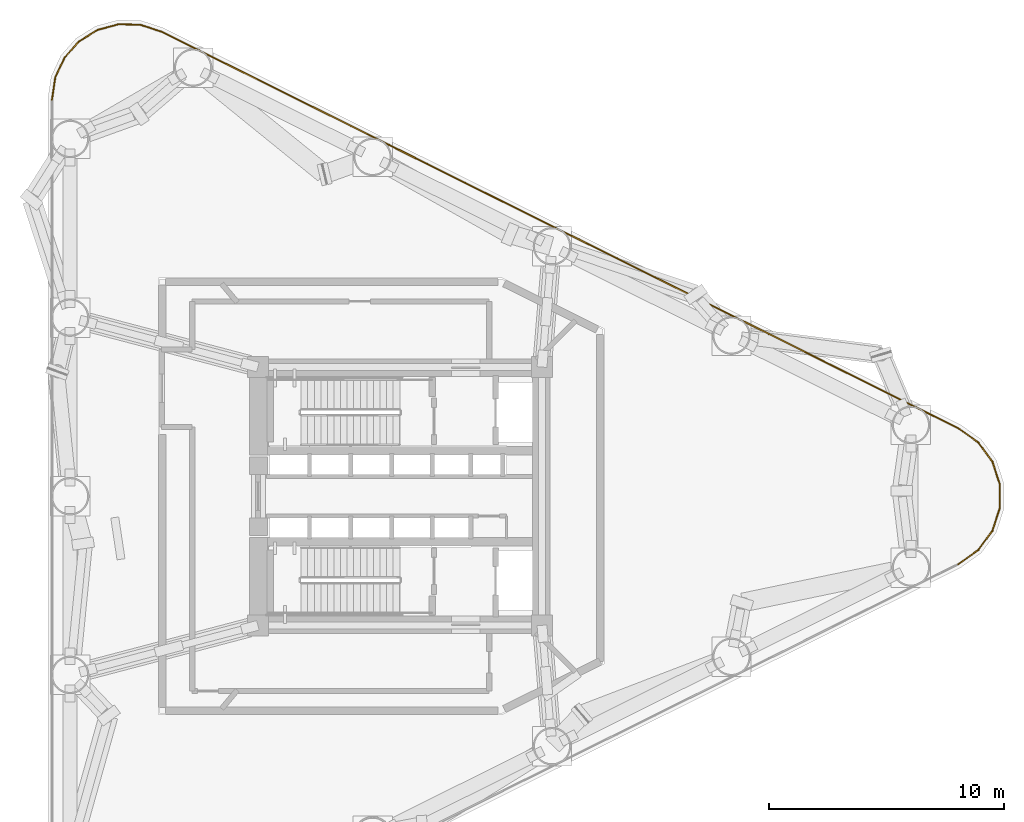
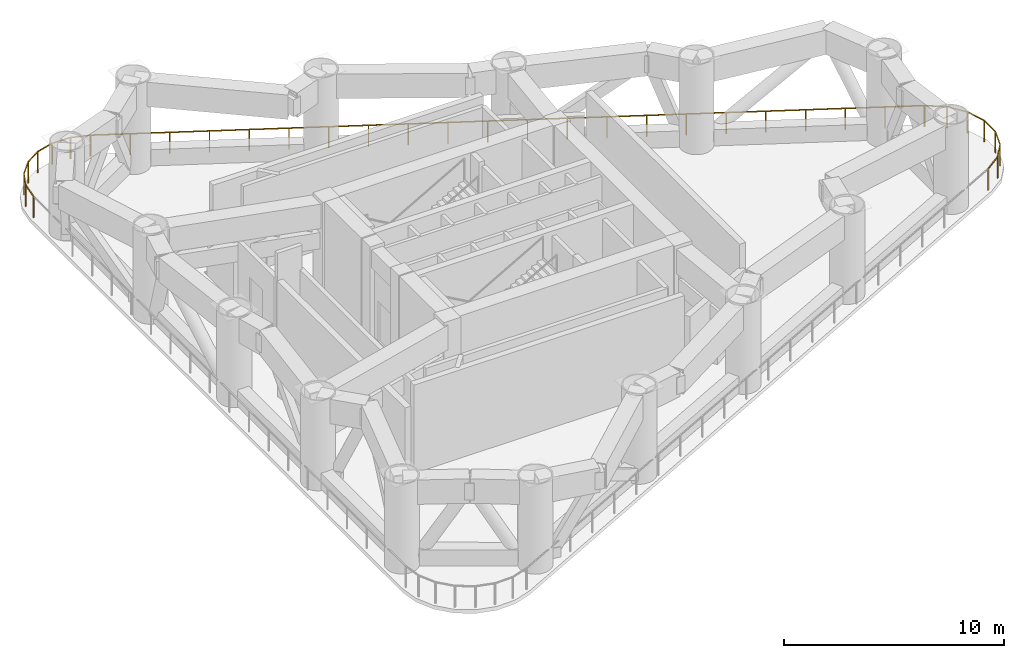
# One storey, part 8 of 8: 15 railings.
"""IFC4 building model written with IfcOpenShell, lengths in metres."""

from ifc_helpers import new_model, si_unit, direction, frame, origin, origin_2d, place, context, subcontext, project, spatial, rectangle, extrude, material, type_object, element, save


model = new_model("IFC4")

# Units and contexts
model_context = context("Model", 3, precision=1e-05, world=origin(), true_north=direction((0.0, 1.0)))
body_context = subcontext(model_context, "Body", "Model", "MODEL_VIEW")
ifc_project = project(units=[si_unit("LENGTHUNIT", "METRE"), si_unit("AREAUNIT", "SQUARE_METRE"), si_unit("VOLUMEUNIT", "CUBIC_METRE"), si_unit("PLANEANGLEUNIT", "RADIAN"), si_unit("MASSUNIT", "GRAM", prefix="KILO")], contexts=[model_context])

# Site, building, storey
site_placement = place(None, origin())
site = spatial("IfcSite", under=ifc_project, at=site_placement, CompositionType="ELEMENT")
building_placement = place(site_placement, origin())
building = spatial("IfcBuilding", under=site, at=building_placement, Name="Yunling Apex Tower", CompositionType="ELEMENT")
storey_placement = place(building_placement, frame((0.0, 0.0, 49.699951171875)))
storey = spatial("IfcBuildingStorey", under=building, at=storey_placement, Name="RF1", CompositionType="ELEMENT", Elevation=49.699951171875)

# Railings
ifc_material = material(Name="Bronze anodised aluminium", Category="aluminium")
railing_type = type_object("IfcRailingType", Name="RL-BAL-1200", PredefinedType="BALUSTRADE", material=ifc_material)
railing_1_placement = place(storey_placement, frame((-14.82421875, 16.882080078125, 0.0)))
element("IfcRailing", 1, at=railing_1_placement, inside=storey, type_object=railing_type, Name="RL-REF-RF1-02", PredefinedType="BALUSTRADE", context=body_context, shape_type="SweptSolid", body=[
    extrude(rectangle(XDim=0.0439453125, YDim=0.0439453125, at=origin_2d()), origin(), (0.0, 0.0, 1.0), 1.199951171875),
    extrude(rectangle(XDim=0.0439453125, YDim=0.0439453125, at=origin_2d()), frame((0.14111328125, 0.964111328125, 0.0)), (0.0, 0.0, 1.0), 1.199951171875),
    extrude(rectangle(XDim=0.050048828125, YDim=0.050048828125, at=origin_2d()), frame((0.005615234375, 0.037841796875, 1.1748046875), z_axis=(0.144823112328, 0.989457561564, 0.0), x_axis=(-0.989457561564, 0.144823112328, 0.0)), (0.0, 0.0, 1.0), 0.897705078125),
])
railing_2_placement = place(storey_placement, frame((-14.691650390625, 17.817626953125, 0.0)))
element("IfcRailing", 2, at=railing_2_placement, inside=storey, type_object=railing_type, Name="RL-REF-RF1-03", PredefinedType="BALUSTRADE", context=body_context, shape_type="SweptSolid", body=[
    extrude(rectangle(XDim=0.0439453125, YDim=0.0439453125, at=origin_2d()), origin(), (0.0, 0.0, 1.0), 1.199951171875),
    extrude(rectangle(XDim=0.0439453125, YDim=0.0439453125, at=origin_2d()), frame((0.405517578125, 0.87158203125, 0.0)), (0.0, 0.0, 1.0), 1.199951171875),
    extrude(rectangle(XDim=0.050048828125, YDim=0.050048828125, at=origin_2d()), frame((0.01611328125, 0.03466796875, 1.1748046875), z_axis=(0.421842429617, 0.906669159382, 0.0), x_axis=(-0.906669159382, 0.421842429617, 0.0)), (0.0, 0.0, 1.0), 0.884521484375),
])
railing_3_placement = place(storey_placement, frame((-14.302490234375, 18.664306640625, 0.0)))
element("IfcRailing", 3, at=railing_3_placement, inside=storey, type_object=railing_type, Name="RL-REF-RF1-04", PredefinedType="BALUSTRADE", context=body_context, shape_type="SweptSolid", body=[
    extrude(rectangle(XDim=0.0439453125, YDim=0.0439453125, at=origin_2d()), origin(), (0.0, 0.0, 1.0), 1.199951171875),
    extrude(rectangle(XDim=0.0439453125, YDim=0.0439453125, at=origin_2d()), frame((0.63818359375, 0.71875, 0.0)), (0.0, 0.0, 1.0), 1.199951171875),
    extrude(rectangle(XDim=0.050048828125, YDim=0.050048828125, at=origin_2d()), frame((0.025390625, 0.028564453125, 1.1748046875), z_axis=(0.663953836805, 0.747773563716, 0.0), x_axis=(-0.747773563716, 0.663953836805, 0.0)), (0.0, 0.0, 1.0), 0.884521484375),
])
railing_4_placement = place(storey_placement, frame((-13.68701171875, 19.364013671875, 0.0)))
element("IfcRailing", 4, at=railing_4_placement, inside=storey, type_object=railing_type, Name="RL-REF-RF1-05", PredefinedType="BALUSTRADE", context=body_context, shape_type="SweptSolid", body=[
    extrude(rectangle(XDim=0.0439453125, YDim=0.0439453125, at=origin_2d()), origin(), (0.0, 0.0, 1.0), 1.199951171875),
    extrude(rectangle(XDim=0.0439453125, YDim=0.0439453125, at=origin_2d()), frame((0.81689453125, 0.506103515625, 0.0)), (0.0, 0.0, 1.0), 1.199951171875),
    extrude(rectangle(XDim=0.050048828125, YDim=0.050048828125, at=origin_2d()), frame((0.032470703125, 0.020263671875, 1.1748046875), z_axis=(0.850075589856, 0.526660698677, 0.0), x_axis=(-0.526660698677, 0.850075589856, 0.0)), (0.0, 0.0, 1.0), 0.88427734375),
])
railing_5_placement = place(storey_placement, frame((-12.897216796875, 19.8583984375, 0.0)))
element("IfcRailing", 5, at=railing_5_placement, inside=storey, type_object=railing_type, Name="RL-REF-RF1-06", PredefinedType="BALUSTRADE", context=body_context, shape_type="SweptSolid", body=[
    extrude(rectangle(XDim=0.0439453125, YDim=0.0439453125, at=origin_2d()), origin(), (0.0, 0.0, 1.0), 1.199951171875),
    extrude(rectangle(XDim=0.0439453125, YDim=0.0439453125, at=origin_2d()), frame((0.927978515625, 0.250732421875, 0.0)), (0.0, 0.0, 1.0), 1.199951171875),
    extrude(rectangle(XDim=0.050048828125, YDim=0.050048828125, at=origin_2d()), frame((0.037109375, 0.010009765625, 1.1748046875), z_axis=(0.965382408795, 0.260838656625, 0.0), x_axis=(-0.260838656625, 0.965382408795, 0.0)), (0.0, 0.0, 1.0), 0.884521484375),
])
railing_6_placement = place(storey_placement, frame((-11.998779296875, 20.105712890625, 0.0)))
element("IfcRailing", 6, at=railing_6_placement, inside=storey, type_object=railing_type, Name="RL-REF-RF1-07", PredefinedType="BALUSTRADE", context=body_context, shape_type="SweptSolid", body=[
    extrude(rectangle(XDim=0.0439453125, YDim=0.0439453125, at=origin_2d()), origin(), (0.0, 0.0, 1.0), 1.199951171875),
    extrude(rectangle(XDim=0.0439453125, YDim=0.0439453125, at=origin_2d()), frame((0.9609375, -0.025146484375, 0.0)), (0.0, 0.0, 1.0), 1.199951171875),
    extrude(rectangle(XDim=0.050048828125, YDim=0.050048828125, at=origin_2d()), frame((0.038330078125, -0.0009765625, 1.1748046875), z_axis=(0.999657775348, -0.026159743613, 0.0), x_axis=(0.026159743613, 0.999657775348, 0.0)), (0.0, 0.0, 1.0), 0.884521484375),
])
railing_7_placement = place(storey_placement, frame((-11.067138671875, 20.08544921875, 0.0)))
element("IfcRailing", 7, at=railing_7_placement, inside=storey, type_object=railing_type, Name="RL-REF-RF1-08", PredefinedType="BALUSTRADE", context=body_context, shape_type="SweptSolid", body=[
    extrude(rectangle(XDim=0.0439453125, YDim=0.0439453125, at=origin_2d()), origin(), (0.0, 0.0, 1.0), 1.199951171875),
    extrude(rectangle(XDim=0.0439453125, YDim=0.0439453125, at=origin_2d()), frame((0.926025390625, -0.30322265625, 0.0)), (0.0, 0.0, 1.0), 1.199951171875),
    extrude(rectangle(XDim=0.050048828125, YDim=0.050048828125, at=origin_2d()), frame((0.036376953125, -0.011962890625, 1.1748046875), z_axis=(0.950348637795, -0.31118718907, 0.0), x_axis=(0.31118718907, 0.950348637795, 0.0)), (0.0, 0.0, 1.0), 0.897705078125),
])
railing_8_placement = place(storey_placement, frame((-10.1689453125, 19.79345703125, 0.0)))
element("IfcRailing", 8, at=railing_8_placement, inside=storey, type_object=railing_type, Name="RL-REF-RF1-09", PredefinedType="BALUSTRADE", context=body_context, shape_type="SweptSolid", body=[
    extrude(rectangle(XDim=0.0439453125, YDim=0.0439453125, at=origin_2d()), origin(), (0.0, 0.0, 1.0), 1.199951171875),
    extrude(rectangle(XDim=0.0439453125, YDim=0.0439453125, at=origin_2d()), frame((33.9775390625, -16.9111328125, 0.0)), (0.0, 0.0, 1.0), 1.199951171875),
    extrude(rectangle(XDim=0.050048828125, YDim=0.050048828125, at=origin_2d()), frame((0.034423828125, -0.01708984375, 1.1748046875), z_axis=(0.895243926255, -0.445576382346, 0.0), x_axis=(0.445576382346, 0.895243926255, 0.0)), (0.0, 0.0, 1.0), 37.876708984375),
    extrude(rectangle(XDim=0.0439453125, YDim=0.0439453125, at=origin_2d()), frame((1.617919921875, -0.80517578125, 0.0)), (0.0, 0.0, 1.0), 1.14599609375),
    extrude(rectangle(XDim=0.0439453125, YDim=0.0439453125, at=origin_2d()), frame((3.23583984375, -1.610595703125, 0.0)), (0.0, 0.0, 1.0), 1.14599609375),
    extrude(rectangle(XDim=0.0439453125, YDim=0.0439453125, at=origin_2d()), frame((4.85400390625, -2.415771484375, 0.0)), (0.0, 0.0, 1.0), 1.14599609375),
    extrude(rectangle(XDim=0.0439453125, YDim=0.0439453125, at=origin_2d()), frame((6.471923828125, -3.22119140625, 0.0)), (0.0, 0.0, 1.0), 1.14599609375),
    extrude(rectangle(XDim=0.0439453125, YDim=0.0439453125, at=origin_2d()), frame((8.08984375, -4.0263671875, 0.0)), (0.0, 0.0, 1.0), 1.14599609375),
    extrude(rectangle(XDim=0.0439453125, YDim=0.0439453125, at=origin_2d()), frame((9.707763671875, -4.831787109375, 0.0)), (0.0, 0.0, 1.0), 1.14599609375),
    extrude(rectangle(XDim=0.0439453125, YDim=0.0439453125, at=origin_2d()), frame((11.325927734375, -5.636962890625, 0.0)), (0.0, 0.0, 1.0), 1.14599609375),
    extrude(rectangle(XDim=0.0439453125, YDim=0.0439453125, at=origin_2d()), frame((12.94384765625, -6.4423828125, 0.0)), (0.0, 0.0, 1.0), 1.14599609375),
    extrude(rectangle(XDim=0.0439453125, YDim=0.0439453125, at=origin_2d()), frame((14.561767578125, -7.24755859375, 0.0)), (0.0, 0.0, 1.0), 1.14599609375),
    extrude(rectangle(XDim=0.0439453125, YDim=0.0439453125, at=origin_2d()), frame((16.1796875, -8.052978515625, 0.0)), (0.0, 0.0, 1.0), 1.14599609375),
    extrude(rectangle(XDim=0.0439453125, YDim=0.0439453125, at=origin_2d()), frame((17.7978515625, -8.858154296875, 0.0)), (0.0, 0.0, 1.0), 1.14599609375),
    extrude(rectangle(XDim=0.0439453125, YDim=0.0439453125, at=origin_2d()), frame((19.415771484375, -9.66357421875, 0.0)), (0.0, 0.0, 1.0), 1.14599609375),
    extrude(rectangle(XDim=0.0439453125, YDim=0.0439453125, at=origin_2d()), frame((21.03369140625, -10.46875, 0.0)), (0.0, 0.0, 1.0), 1.14599609375),
    extrude(rectangle(XDim=0.0439453125, YDim=0.0439453125, at=origin_2d()), frame((22.651611328125, -11.274169921875, 0.0)), (0.0, 0.0, 1.0), 1.14599609375),
    extrude(rectangle(XDim=0.0439453125, YDim=0.0439453125, at=origin_2d()), frame((24.269775390625, -12.079345703125, 0.0)), (0.0, 0.0, 1.0), 1.14599609375),
    extrude(rectangle(XDim=0.0439453125, YDim=0.0439453125, at=origin_2d()), frame((25.8876953125, -12.884765625, 0.0)), (0.0, 0.0, 1.0), 1.14599609375),
    extrude(rectangle(XDim=0.0439453125, YDim=0.0439453125, at=origin_2d()), frame((27.505615234375, -13.68994140625, 0.0)), (0.0, 0.0, 1.0), 1.14599609375),
    extrude(rectangle(XDim=0.0439453125, YDim=0.0439453125, at=origin_2d()), frame((29.12353515625, -14.495361328125, 0.0)), (0.0, 0.0, 1.0), 1.14599609375),
    extrude(rectangle(XDim=0.0439453125, YDim=0.0439453125, at=origin_2d()), frame((30.74169921875, -15.300537109375, 0.0)), (0.0, 0.0, 1.0), 1.14599609375),
    extrude(rectangle(XDim=0.0439453125, YDim=0.0439453125, at=origin_2d()), frame((32.359619140625, -16.10595703125, 0.0)), (0.0, 0.0, 1.0), 1.14599609375),
])
railing_9_placement = place(storey_placement, frame((23.783203125, 2.897705078125, 0.0)))
element("IfcRailing", 9, at=railing_9_placement, inside=storey, type_object=railing_type, Name="RL-REF-RF1-10", PredefinedType="BALUSTRADE", context=body_context, shape_type="SweptSolid", body=[
    extrude(rectangle(XDim=0.0439453125, YDim=0.0439453125, at=origin_2d()), origin(), (0.0, 0.0, 1.0), 1.199951171875),
    extrude(rectangle(XDim=0.0439453125, YDim=0.0439453125, at=origin_2d()), frame((0.8623046875, -0.615966796875, 0.0)), (0.0, 0.0, 1.0), 1.199951171875),
    extrude(rectangle(XDim=0.050048828125, YDim=0.050048828125, at=origin_2d()), frame((0.03125, -0.022216796875, 1.1748046875), z_axis=(0.813717904397, -0.581259986635, 0.0), x_axis=(0.581259986635, 0.813717904397, 0.0)), (0.0, 0.0, 1.0), 0.983154296875),
])
railing_10_placement = place(storey_placement, frame((24.62451171875, 2.302490234375, 0.0)))
element("IfcRailing", 10, at=railing_10_placement, inside=storey, type_object=railing_type, Name="RL-REF-RF1-11", PredefinedType="BALUSTRADE", context=body_context, shape_type="SweptSolid", body=[
    extrude(rectangle(XDim=0.0439453125, YDim=0.0439453125, at=origin_2d()), origin(), (0.0, 0.0, 1.0), 1.199951171875),
    extrude(rectangle(XDim=0.0439453125, YDim=0.0439453125, at=origin_2d()), frame((0.618896484375, -0.84228515625, 0.0)), (0.0, 0.0, 1.0), 1.199951171875),
    extrude(rectangle(XDim=0.050048828125, YDim=0.050048828125, at=origin_2d()), frame((0.022705078125, -0.031005859375, 1.1748046875), z_axis=(0.592122870791, -0.805847693976, 0.0), x_axis=(0.805847693976, 0.592122870791, 0.0)), (0.0, 0.0, 1.0), 0.968505859375),
])
railing_11_placement = place(storey_placement, frame((25.229736328125, 1.486572265625, 0.0)))
element("IfcRailing", 11, at=railing_11_placement, inside=storey, type_object=railing_type, Name="RL-REF-RF1-12", PredefinedType="BALUSTRADE", context=body_context, shape_type="SweptSolid", body=[
    extrude(rectangle(XDim=0.0439453125, YDim=0.0439453125, at=origin_2d()), origin(), (0.0, 0.0, 1.0), 1.199951171875),
    extrude(rectangle(XDim=0.0439453125, YDim=0.0439453125, at=origin_2d()), frame((0.32568359375, -0.9931640625, 0.0)), (0.0, 0.0, 1.0), 1.199951171875),
    extrude(rectangle(XDim=0.050048828125, YDim=0.050048828125, at=origin_2d()), frame((0.011962890625, -0.036376953125, 1.1748046875), z_axis=(0.311599074365, -0.950213669053, 0.0), x_axis=(0.950213669053, 0.311599074365, 0.0)), (0.0, 0.0, 1.0), 0.968505859375),
])
railing_12_placement = place(storey_placement, frame((25.55078125, 0.522705078125, 0.0)))
element("IfcRailing", 12, at=railing_12_placement, inside=storey, type_object=railing_type, Name="RL-REF-RF1-13", PredefinedType="BALUSTRADE", context=body_context, shape_type="SweptSolid", body=[
    extrude(rectangle(XDim=0.0439453125, YDim=0.0439453125, at=origin_2d()), origin(), (0.0, 0.0, 1.0), 1.199951171875),
    extrude(rectangle(XDim=0.0439453125, YDim=0.0439453125, at=origin_2d()), frame((0.0, -1.04541015625, 0.0)), (0.0, 0.0, 1.0), 1.199951171875),
    extrude(rectangle(XDim=0.050048828125, YDim=0.050048828125, at=origin_2d()), frame((0.0, -0.038330078125, 1.1748046875), z_axis=(0.0, -1.0, 0.0), x_axis=(1.0, 0.0, 0.0)), (0.0, 0.0, 1.0), 0.96875),
])
railing_13_placement = place(storey_placement, frame((25.555419921875, -0.493408203125, 0.0)))
element("IfcRailing", 13, at=railing_13_placement, inside=storey, type_object=railing_type, Name="RL-REF-RF1-14", PredefinedType="BALUSTRADE", context=body_context, shape_type="SweptSolid", body=[
    extrude(rectangle(XDim=0.0439453125, YDim=0.0439453125, at=origin_2d()), origin(), (0.0, 0.0, 1.0), 1.199951171875),
    extrude(rectangle(XDim=0.0439453125, YDim=0.0439453125, at=origin_2d()), frame((-0.32568359375, -0.9931640625, 0.0)), (0.0, 0.0, 1.0), 1.199951171875),
    extrude(rectangle(XDim=0.050048828125, YDim=0.050048828125, at=origin_2d()), frame((-0.011962890625, -0.036376953125, 1.1748046875), z_axis=(-0.311599074365, -0.950213669053, 0.0), x_axis=(0.950213669053, -0.311599074365, 0.0)), (0.0, 0.0, 1.0), 0.968505859375),
])
railing_14_placement = place(storey_placement, frame((25.243408203125, -1.460205078125, 0.0)))
element("IfcRailing", 14, at=railing_14_placement, inside=storey, type_object=railing_type, Name="RL-REF-RF1-15", PredefinedType="BALUSTRADE", context=body_context, shape_type="SweptSolid", body=[
    extrude(rectangle(XDim=0.0439453125, YDim=0.0439453125, at=origin_2d()), origin(), (0.0, 0.0, 1.0), 1.199951171875),
    extrude(rectangle(XDim=0.0439453125, YDim=0.0439453125, at=origin_2d()), frame((-0.618896484375, -0.84228515625, 0.0)), (0.0, 0.0, 1.0), 1.199951171875),
    extrude(rectangle(XDim=0.050048828125, YDim=0.050048828125, at=origin_2d()), frame((-0.022705078125, -0.031005859375, 1.1748046875), z_axis=(-0.592122870791, -0.805847693976, 0.0), x_axis=(0.805847693976, -0.592122870791, 0.0)), (0.0, 0.0, 1.0), 0.968505859375),
])
railing_15_placement = place(storey_placement, frame((24.6455078125, -2.28173828125, 0.0)))
element("IfcRailing", 15, at=railing_15_placement, inside=storey, type_object=railing_type, Name="RL-REF-RF1-16", PredefinedType="BALUSTRADE", context=body_context, shape_type="SweptSolid", body=[
    extrude(rectangle(XDim=0.0439453125, YDim=0.0439453125, at=origin_2d()), origin(), (0.0, 0.0, 1.0), 1.199951171875),
    extrude(rectangle(XDim=0.0439453125, YDim=0.0439453125, at=origin_2d()), frame((-0.8623046875, -0.615966796875, 0.0)), (0.0, 0.0, 1.0), 1.199951171875),
    extrude(rectangle(XDim=0.050048828125, YDim=0.050048828125, at=origin_2d()), frame((-0.03125, -0.022216796875, 1.1748046875), z_axis=(-0.813717904397, -0.581259986635, 0.0), x_axis=(0.581259986635, -0.813717904397, 0.0)), (0.0, 0.0, 1.0), 0.983154296875),
])

save(model, "model.ifc")
